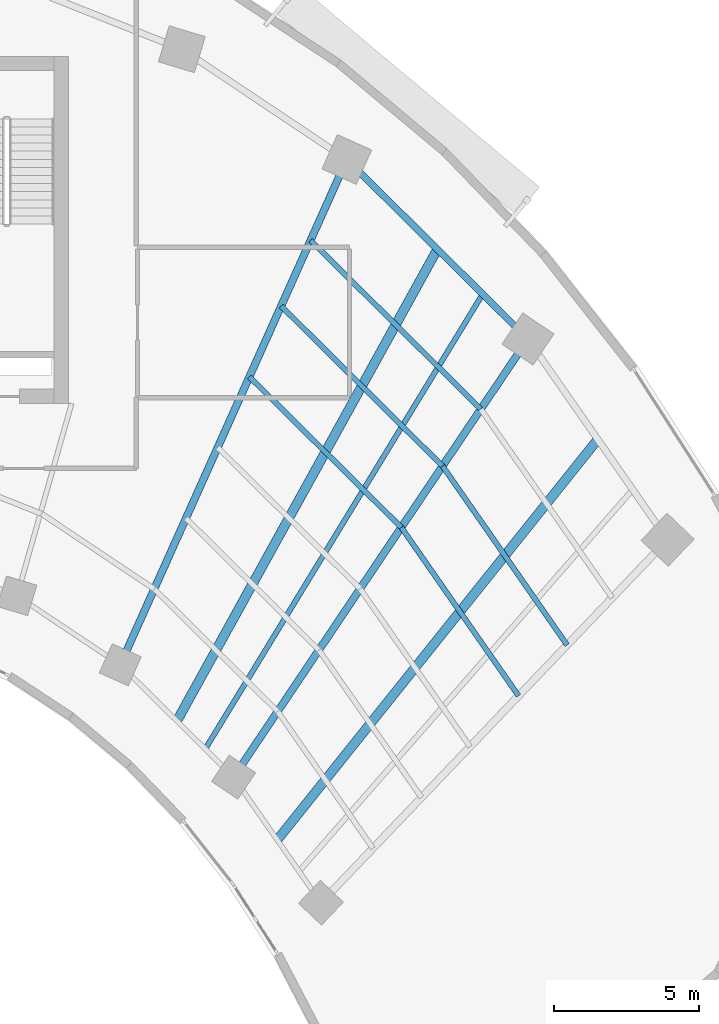
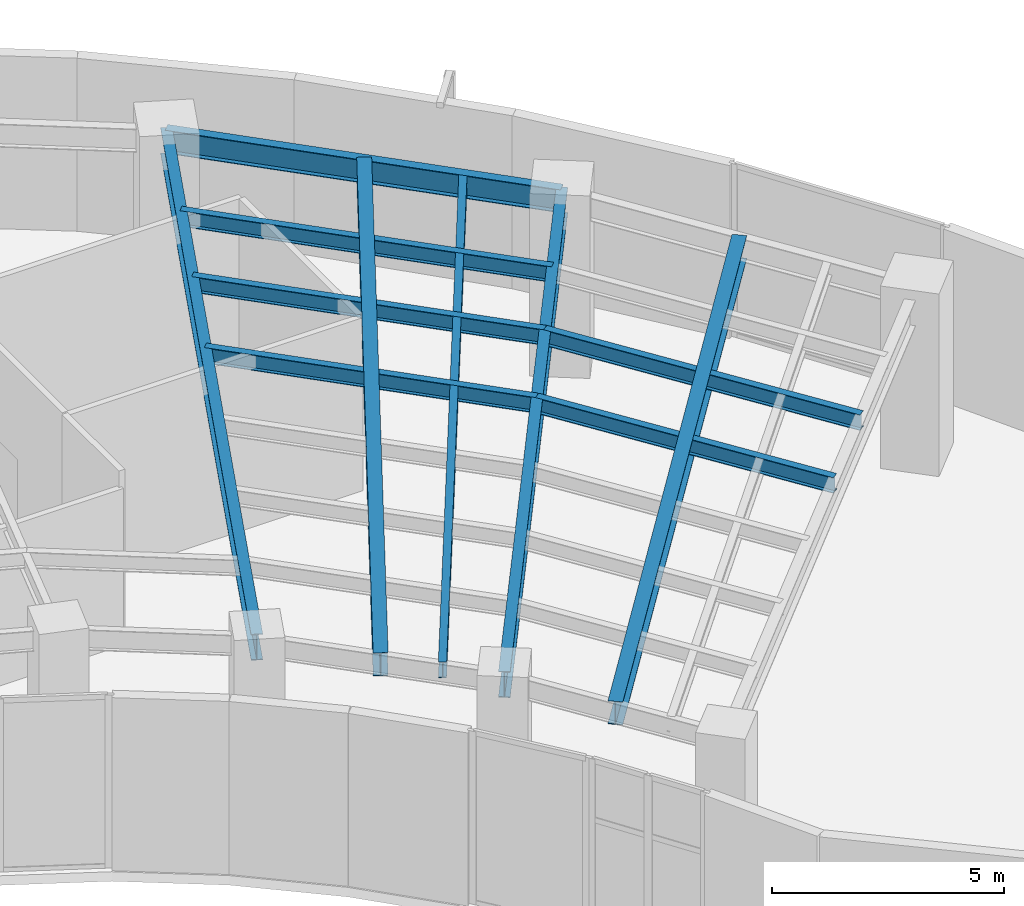
# One storey, part 4 of 15: 11 beams.
"""IFC4 building model written with IfcOpenShell, lengths in metres."""

from ifc_helpers import new_model, si_unit, direction, frame, origin, origin_2d, place, context, subcontext, project, spatial, i_section, extrude, source, transform, mapped, material, material_profile, profile_set, type_object, element, save


model = new_model("IFC4")

# Units and contexts
model_context = context("Model", 3, precision=1e-05, world=origin(), true_north=direction((0.0, 1.0)))
body_context = subcontext(model_context, "Body", "Model", "MODEL_VIEW")
ifc_project = project(units=[si_unit("LENGTHUNIT", "METRE"), si_unit("AREAUNIT", "SQUARE_METRE"), si_unit("VOLUMEUNIT", "CUBIC_METRE"), si_unit("PLANEANGLEUNIT", "RADIAN"), si_unit("MASSUNIT", "GRAM", prefix="KILO")], contexts=[model_context])

# Site, building, storey
site_placement = place(None, origin())
site = spatial("IfcSite", under=ifc_project, at=site_placement, CompositionType="ELEMENT")
building_placement = place(site_placement, origin())
building = spatial("IfcBuilding", under=site, at=building_placement, Name="Breltana Convention Tower", CompositionType="ELEMENT")
storey_placement = place(building_placement, frame((0.0, 0.0, 91.199951171875)))
storey = spatial("IfcBuildingStorey", under=building, at=storey_placement, Name="L21", CompositionType="ELEMENT", Elevation=91.199951171875)

# Beams
ifc_material = material(Name="Steel ASTM A992 Grade 50", Category="steel")
ifc_material_profile_1 = material_profile(ifc_material, i_section(OverallWidth=0.323974609375, OverallDepth=0.611083984375, WebThickness=0.0126953125, FlangeThickness=0.01904296875, at=origin_2d()), Name="W24X104")
ifc_profile_set_1 = profile_set([ifc_material_profile_1], Name="Steel ASTM A992 Grade 50")
beam_type_1 = type_object("IfcBeamType", Name="BM-JSG-01", PredefinedType="JOIST", material=ifc_profile_set_1)
shared_shape_1 = source(origin(), body_context, "Body", "SweptSolid", [
    extrude(i_section(OverallWidth=0.323974609375, OverallDepth=0.611083984375, WebThickness=0.0126953125, FlangeThickness=0.01904296875, at=origin_2d()), origin(), (0.0, 0.0, 1.0), 18.617431640625),
])
beam_1_placement = place(storey_placement, frame((63.038818359375, 49.234130859375, 4.24462890625), z_axis=(0.483405602507, 0.875396495004, 0.0), x_axis=(-0.875396495004, 0.483405602507, 0.0)))
element("IfcBeam", 1, at=beam_1_placement, inside=storey, type_object=beam_type_1, Name="L21 Mid-Bay Radial Trimmer 09", PredefinedType="JOIST", context=body_context, shape_type="MappedRepresentation", body=[
    mapped(shared_shape_1, transform((0.0, 0.0, 0.0), scale=1.0)),
])
ifc_material_profile_2 = material_profile(ifc_material, i_section(OverallWidth=0.179931640625, OverallDepth=0.4130859375, WebThickness=0.009765625, FlangeThickness=0.01611328125, at=origin_2d()), Name="W16X50")
ifc_profile_set_2 = profile_set([ifc_material_profile_2], Name="Steel ASTM A992 Grade 50")
beam_type_2 = type_object("IfcBeamType", Name="BM-JSG-08", PredefinedType="JOIST", material=ifc_profile_set_2)
shared_shape_2 = source(origin(), body_context, "Body", "SweptSolid", [
    extrude(i_section(OverallWidth=0.179931640625, OverallDepth=0.4130859375, WebThickness=0.009765625, FlangeThickness=0.01611328125, at=origin_2d()), origin(), (0.0, 0.0, 1.0), 18.409423828125),
])
beam_2_placement = place(storey_placement, frame((64.017333984375, 48.263916015625, 4.343505859375), z_axis=(0.520682167606, 0.853750596098, 0.0), x_axis=(-0.853750596098, 0.520682167606, 0.0)))
element("IfcBeam", 2, at=beam_2_placement, inside=storey, type_object=beam_type_2, Name="L21 Quarter-Bay Radial Trimmer 09", PredefinedType="JOIST", context=body_context, shape_type="MappedRepresentation", body=[
    mapped(shared_shape_2, transform((0.0, 0.0, 0.0), scale=1.0)),
])
shared_shape_3 = source(origin(), body_context, "Body", "SweptSolid", [
    extrude(i_section(OverallWidth=0.323974609375, OverallDepth=0.611083984375, WebThickness=0.0126953125, FlangeThickness=0.01904296875, at=origin_2d()), origin(), (0.0, 0.0, 1.0), 17.7236328125),
])
beam_3_placement = place(storey_placement, frame((66.505615234375, 45.124267578125, 4.24462890625), z_axis=(0.624829427563, 0.78076128647, 0.0), x_axis=(-0.78076128647, 0.624829427563, 0.0)))
element("IfcBeam", 3, at=beam_3_placement, inside=storey, type_object=beam_type_1, Name="L21 Mid-Bay Radial Trimmer 10", PredefinedType="JOIST", context=body_context, shape_type="MappedRepresentation", body=[
    mapped(shared_shape_3, transform((0.0, 0.0, 0.0), scale=1.0)),
])
shared_shape_4 = source(origin(), body_context, "Body", "SweptSolid", [
    extrude(i_section(OverallWidth=0.179931640625, OverallDepth=0.4130859375, WebThickness=0.009765625, FlangeThickness=0.01611328125, at=origin_2d()), origin(), (0.0, 0.0, 1.0), 7.391845703125),
])
beam_4_placement = place(storey_placement, frame((65.544189453125, 61.1259765625, 4.343505859375), z_axis=(0.710105958319, -0.704094828812, 0.0), x_axis=(0.704094828812, 0.710105958319, 0.0)))
element("IfcBeam", 4, at=beam_4_placement, inside=storey, type_object=beam_type_2, Name="L21 Composite Floor Joist 09.4", PredefinedType="JOIST", context=body_context, shape_type="MappedRepresentation", body=[
    mapped(shared_shape_4, transform((0.0, 0.0, 0.0), scale=1.0)),
])
shared_shape_5 = source(origin(), body_context, "Body", "SweptSolid", [
    extrude(i_section(OverallWidth=0.179931640625, OverallDepth=0.4130859375, WebThickness=0.009765625, FlangeThickness=0.01611328125, at=origin_2d()), origin(), (0.0, 0.0, 1.0), 7.853759765625),
])
beam_5_placement = place(storey_placement, frame((66.64013671875, 63.5703125, 4.343505859375), z_axis=(0.710115639208, -0.70408506514, 0.0), x_axis=(0.70408506514, 0.710115639208, 0.0)))
element("IfcBeam", 5, at=beam_5_placement, inside=storey, type_object=beam_type_2, Name="L21 Composite Floor Joist 09.5", PredefinedType="JOIST", context=body_context, shape_type="MappedRepresentation", body=[
    mapped(shared_shape_5, transform((0.0, 0.0, 0.0), scale=1.0)),
])
shared_shape_6 = source(origin(), body_context, "Body", "SweptSolid", [
    extrude(i_section(OverallWidth=0.179931640625, OverallDepth=0.4130859375, WebThickness=0.009765625, FlangeThickness=0.01611328125, at=origin_2d()), origin(), (0.0, 0.0, 1.0), 8.2822265625),
])
beam_6_placement = place(storey_placement, frame((67.657958984375, 65.83984375, 4.343505859375), z_axis=(0.710107068817, -0.704093708832, 0.0), x_axis=(0.704093708832, 0.710107068817, 0.0)))
element("IfcBeam", 6, at=beam_6_placement, inside=storey, type_object=beam_type_2, Name="L21 Composite Floor Joist 09.6", PredefinedType="JOIST", context=body_context, shape_type="MappedRepresentation", body=[
    mapped(shared_shape_6, transform((0.0, 0.0, 0.0), scale=1.0)),
])
shared_shape_7 = source(origin(), body_context, "Body", "SweptSolid", [
    extrude(i_section(OverallWidth=0.179931640625, OverallDepth=0.4130859375, WebThickness=0.009765625, FlangeThickness=0.01611328125, at=origin_2d()), origin(), (0.0, 0.0, 1.0), 7.089599609375),
])
beam_7_placement = place(storey_placement, frame((70.793212890625, 55.92138671875, 4.343505859375), z_axis=(0.571206746165, -0.820806221429, 0.0), x_axis=(0.820806221429, 0.571206746165, 0.0)))
element("IfcBeam", 7, at=beam_7_placement, inside=storey, type_object=beam_type_2, Name="L21 Composite Floor Joist 10.4", PredefinedType="JOIST", context=body_context, shape_type="MappedRepresentation", body=[
    mapped(shared_shape_7, transform((0.0, 0.0, 0.0), scale=1.0)),
])
shared_shape_8 = source(origin(), body_context, "Body", "SweptSolid", [
    extrude(i_section(OverallWidth=0.179931640625, OverallDepth=0.4130859375, WebThickness=0.009765625, FlangeThickness=0.01611328125, at=origin_2d()), origin(), (0.0, 0.0, 1.0), 7.5322265625),
])
beam_8_placement = place(storey_placement, frame((72.21728515625, 58.04052734375, 4.343505859375), z_axis=(0.57120218088, -0.820809398434, 0.0), x_axis=(0.820809398434, 0.57120218088, 0.0)))
element("IfcBeam", 8, at=beam_8_placement, inside=storey, type_object=beam_type_2, Name="L21 Composite Floor Joist 10.5", PredefinedType="JOIST", context=body_context, shape_type="MappedRepresentation", body=[
    mapped(shared_shape_8, transform((0.0, 0.0, 0.0), scale=1.0)),
])
ifc_material_profile_3 = material_profile(ifc_material, i_section(OverallWidth=0.25390625, OverallDepth=0.68798828125, WebThickness=0.01318359375, FlangeThickness=0.02099609375, at=origin_2d()), Name="W27X102")
ifc_profile_set_3 = profile_set([ifc_material_profile_3], Name="Steel ASTM A992 Grade 50")
beam_type_3 = type_object("IfcBeamType", Name="BM-RG-W27X102", PredefinedType="USERDEFINED", material=ifc_profile_set_3)
shared_shape_9 = source(origin(), body_context, "Body", "SweptSolid", [
    extrude(i_section(OverallWidth=0.25390625, OverallDepth=0.68798828125, WebThickness=0.01318359375, FlangeThickness=0.02099609375, at=origin_2d()), origin(), (0.0, 0.0, 1.0), 19.133544921875),
])
beam_9_placement = place(storey_placement, frame((61.08203125, 51.174560546875, 4.2060546875), z_axis=(0.409144564164, 0.912469575172, 0.0), x_axis=(-0.912469575172, 0.409144564164, 0.0)))
element("IfcBeam", 9, at=beam_9_placement, inside=storey, type_object=beam_type_3, Name="L21 Radial Floor Girder R09", ObjectType="GIRDER", PredefinedType="USERDEFINED", context=body_context, shape_type="MappedRepresentation", body=[
    mapped(shared_shape_9, transform((0.0, 0.0, 0.0), scale=1.0)),
])
shared_shape_10 = source(origin(), body_context, "Body", "SweptSolid", [
    extrude(i_section(OverallWidth=0.25390625, OverallDepth=0.68798828125, WebThickness=0.01318359375, FlangeThickness=0.02099609375, at=origin_2d()), origin(), (0.0, 0.0, 1.0), 18.236328125),
])
beam_10_placement = place(storey_placement, frame((64.995849609375, 47.293701171875, 4.2060546875), z_axis=(0.557730360975, 0.830022195153, 0.0), x_axis=(-0.830022195153, 0.557730360975, 0.0)))
element("IfcBeam", 10, at=beam_10_placement, inside=storey, type_object=beam_type_3, Name="L21 Radial Floor Girder R10", ObjectType="GIRDER", PredefinedType="USERDEFINED", context=body_context, shape_type="MappedRepresentation", body=[
    mapped(shared_shape_10, transform((0.0, 0.0, 0.0), scale=1.0)),
])
ifc_material_profile_4 = material_profile(ifc_material, i_section(OverallWidth=0.22802734375, OverallDepth=0.60791015625, WebThickness=0.01123046875, FlangeThickness=0.017333984375, at=origin_2d()), Name="W24X76")
ifc_profile_set_4 = profile_set([ifc_material_profile_4], Name="Steel ASTM A992 Grade 50")
beam_type_4 = type_object("IfcBeamType", Name="BM-SP-W24X76", PredefinedType="SPANDREL", material=ifc_profile_set_4)
shared_shape_11 = source(origin(), body_context, "Body", "SweptSolid", [
    extrude(i_section(OverallWidth=0.22802734375, OverallDepth=0.60791015625, WebThickness=0.01123046875, FlangeThickness=0.017333984375, at=origin_2d()), origin(), (0.0, 0.0, 1.0), 8.810302734375),
])
beam_11_placement = place(storey_placement, frame((68.910400390625, 68.63330078125, 4.24609375), z_axis=(0.710120823582, -0.704079836322, 0.0), x_axis=(0.704079836322, 0.710120823582, 0.0)))
element("IfcBeam", 11, at=beam_11_placement, inside=storey, type_object=beam_type_4, Name="L21 Outer Spandrel Beam 09", PredefinedType="SPANDREL", context=body_context, shape_type="MappedRepresentation", body=[
    mapped(shared_shape_11, transform((0.0, 0.0, 0.0), scale=1.0)),
])

save(model, "model.ifc")
